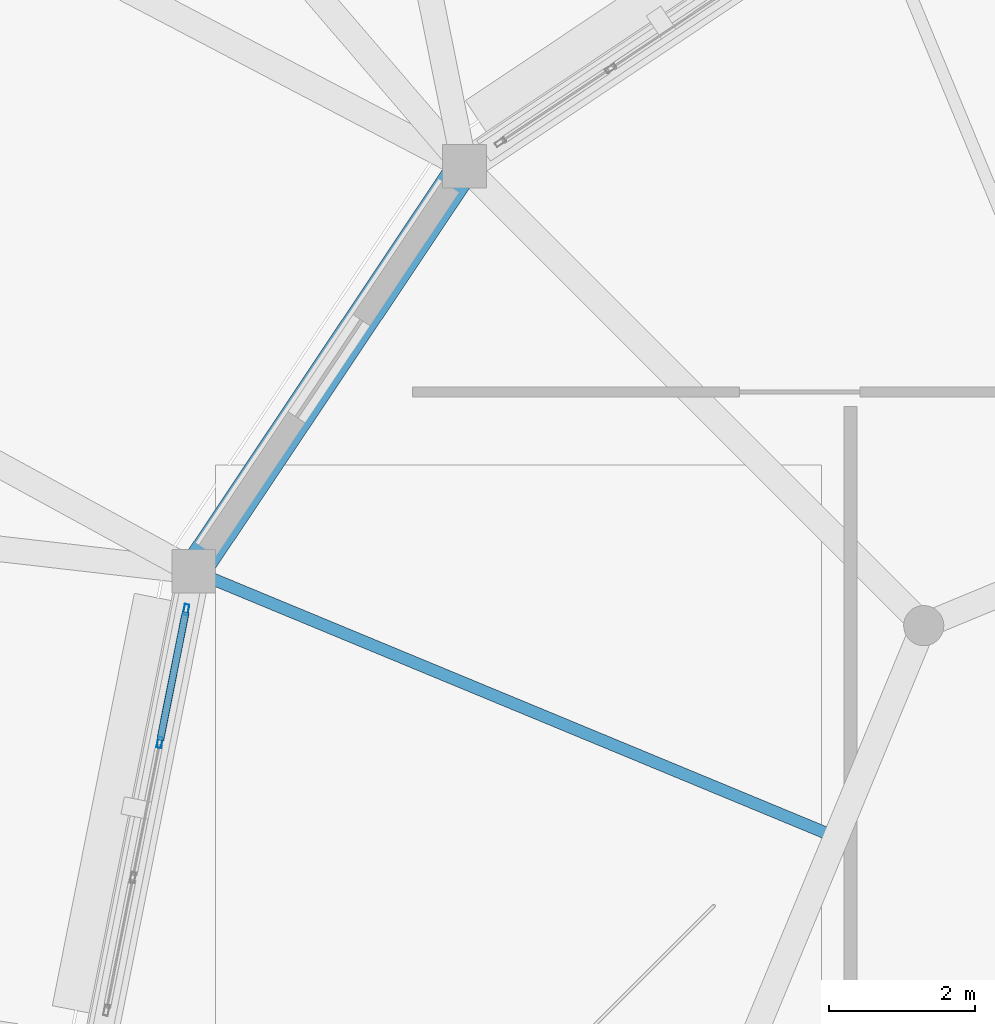
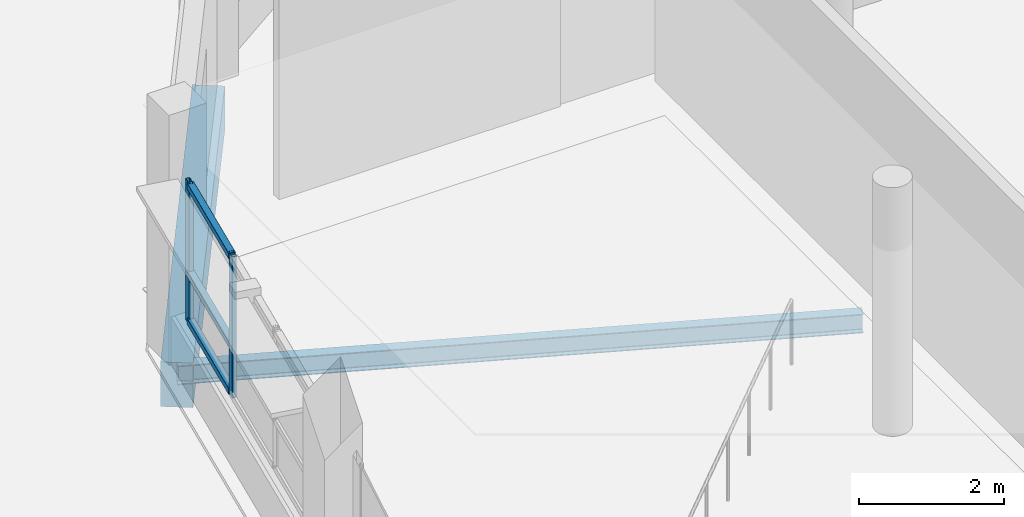
# One storey, part 41 of 128: 5 members, 2 beams, 1 element without a shape of its own.
"""IFC4 building model written with IfcOpenShell, lengths in metres."""

from ifc_helpers import new_model, si_unit, direction, frame, origin, origin_2d, place, context, subcontext, project, spatial, rectangle, hollow_rectangle, i_section, extrude, material, layer, layer_set, material_profile, profile_set, type_object, element, aggregate, save


model = new_model("IFC4")

# Units and contexts
model_context = context("Model", 3, precision=1e-05, world=origin(), true_north=direction((0.0, 1.0)))
body_context = subcontext(model_context, "Body", "Model", "MODEL_VIEW")
ifc_project = project(units=[si_unit("LENGTHUNIT", "METRE"), si_unit("AREAUNIT", "SQUARE_METRE"), si_unit("VOLUMEUNIT", "CUBIC_METRE"), si_unit("PLANEANGLEUNIT", "RADIAN"), si_unit("MASSUNIT", "GRAM", prefix="KILO")], contexts=[model_context])

# Site, building, storey
site_placement = place(None, origin())
site = spatial("IfcSite", under=ifc_project, at=site_placement, CompositionType="ELEMENT")
building_placement = place(site_placement, origin())
building = spatial("IfcBuilding", under=site, at=building_placement, Name="Vespera Passage Community Centre", CompositionType="ELEMENT")
storey_placement = place(building_placement, frame((0.0, 0.0, 4.5)))
storey = spatial("IfcBuildingStorey", under=building, at=storey_placement, Name="L01", CompositionType="ELEMENT", Elevation=4.5)

# Beams
ifc_material_1 = material(Name="Steel ASTM A992 Grade 50", Category="steel")
ifc_material_profile_1 = material_profile(ifc_material_1, i_section(OverallWidth=0.16650390625, OverallDepth=0.3173828125, WebThickness=0.007568359375, FlangeThickness=0.01318359375, FilletRadius=0.007568359375, at=origin_2d()), Name="W12X35")
ifc_profile_set_1 = profile_set([ifc_material_profile_1], Name="Steel ASTM A992 Grade 50")
beam_type_1 = type_object("IfcBeamType", Name="BM-J-W12X35", PredefinedType="JOIST", material=ifc_profile_set_1)
beam_1_placement = place(storey_placement, frame((134.0009765625, 27.899169921875, -0.398681640625), z_axis=(-0.923880304795, 0.382681567901, 0.0), x_axis=(-0.382681567901, -0.923880304795, 0.0)))
element("IfcBeam", 1, at=beam_1_placement, inside=storey, type_object=beam_type_1, Name="V3 L01 Secondary Joist 4", PredefinedType="JOIST", context=body_context, shape_type="SweptSolid", body=[
    extrude(i_section(OverallWidth=0.16650390625, OverallDepth=0.3173828125, WebThickness=0.007568359375, FlangeThickness=0.01318359375, FilletRadius=0.007568359375, at=origin_2d()), origin(), (0.0, 0.0, 1.0), 9.5244140625),
])
ifc_material_2 = material(Name="Concrete f'c 35 MPa", Category="concrete")
ifc_material_profile_2 = material_profile(ifc_material_2, rectangle(XDim=0.449951171875, YDim=0.75, at=origin_2d()), Name="RC450X750")
ifc_profile_set_2 = profile_set([ifc_material_profile_2], Name="Concrete f'c 35 MPa")
beam_type_2 = type_object("IfcBeamType", Name="BM-SP-450X750E", PredefinedType="SPANDREL", material=ifc_profile_set_2)
beam_2_placement = place(storey_placement, frame((128.908447265625, 37.091552734375, -0.614990234375), z_axis=(-0.55556964639, -0.831470004276, 0.0), x_axis=(0.831470004276, -0.55556964639, 0.0)))
element("IfcBeam", 2, at=beam_2_placement, inside=storey, type_object=beam_type_2, Name="V3 L01 Spandrel 7", PredefinedType="SPANDREL", context=body_context, shape_type="SweptSolid", body=[
    extrude(rectangle(XDim=0.449951171875, YDim=0.75, at=origin_2d()), origin(), (0.0, 0.0, 1.0), 6.672119140625),
])

# Curtain wall, members
ifc_material_3 = material(Name="Anodized aluminium 6063-T6", Category="aluminium")
ifc_layer = layer(ifc_material_3, 0.159912109375)
ifc_layer_set = layer_set([ifc_layer], Name="Anodized aluminium 6063-T6")
curtain_wall_type = type_object("IfcCurtainWallType", Name="CW-105E", PredefinedType="NOTDEFINED", material=ifc_layer_set)
curtain_wall_placement = place(storey_placement, origin())
curtain_wall = element("IfcCurtainWall", 3, at=curtain_wall_placement, inside=storey, type_object=curtain_wall_type, Name="Dining Drum Ribbon Curtain Wall L01.8", PredefinedType="NOTDEFINED")
ifc_material_4 = material(Name="Anodized aluminium 6063-T6", Category="aluminium")
ifc_material_profile_3 = material_profile(ifc_material_4, hollow_rectangle(XDim=0.06494140625, YDim=0.14990234375, WallThickness=0.00390625, InnerFilletRadius=0.001953125, OuterFilletRadius=0.00390625, at=origin_2d()), Name="ALU150X65X4")
ifc_profile_set_3 = profile_set([ifc_material_profile_3], Name="Anodized aluminium 6063-T6")
member_type_1 = type_object("IfcMemberType", Name="MB-CWM-150E", PredefinedType="MULLION", material=ifc_profile_set_3)
member_1_placement = place(storey_placement, frame((124.73486328125, 29.197265625, 0.800048828125), z_axis=(0.0, 0.0, 1.0), x_axis=(-0.980783996069, 0.195096778691, 0.0)))
member_1 = element("IfcMember", 4, at=member_1_placement, type_object=member_type_1, Name="CW-105E mullion 3", PredefinedType="MULLION", context=body_context, shape_type="SweptSolid", body=[
    extrude(hollow_rectangle(XDim=0.06494140625, YDim=0.14990234375, WallThickness=0.00390625, InnerFilletRadius=0.001953125, OuterFilletRadius=0.00390625, at=origin_2d()), origin(), (0.0, 0.0, 1.0), 2.375),
])
member_2_placement = place(storey_placement, frame((125.0966796875, 31.015869140625, 0.800048828125), z_axis=(0.0, 0.0, 1.0), x_axis=(-0.980783996069, 0.195096778691, 0.0)))
member_2 = element("IfcMember", 5, at=member_2_placement, type_object=member_type_1, Name="CW-105E mullion 4", PredefinedType="MULLION", context=body_context, shape_type="SweptSolid", body=[
    extrude(hollow_rectangle(XDim=0.06494140625, YDim=0.14990234375, WallThickness=0.00390625, InnerFilletRadius=0.001953125, OuterFilletRadius=0.00390625, at=origin_2d()), origin(), (0.0, 0.0, 1.0), 2.375),
])
ifc_material_5 = material(Name="Anodized aluminium 6063-T6", Category="aluminium")
ifc_material_profile_4 = material_profile(ifc_material_5, hollow_rectangle(XDim=0.10009765625, YDim=0.10009765625, WallThickness=0.00390625, InnerFilletRadius=0.001953125, OuterFilletRadius=0.00390625, at=origin_2d()), Name="ALU100X100X4")
ifc_profile_set_4 = profile_set([ifc_material_profile_4], Name="Anodized aluminium 6063-T6")
member_type_2 = type_object("IfcMemberType", Name="MB-CWT-100E", PredefinedType="USERDEFINED", material=ifc_profile_set_4)
member_3_placement = place(storey_placement, frame((124.7412109375, 29.22900390625, 0.85009765625), z_axis=(0.195118922523, 0.980779590975, 0.0), x_axis=(-0.980779590975, 0.195118922523, 0.0)))
member_3 = element("IfcMember", 6, at=member_3_placement, type_object=member_type_2, Name="CW-105E transom 3.1", ObjectType="TRANSOM", PredefinedType="USERDEFINED", context=body_context, shape_type="SweptSolid", body=[
    extrude(hollow_rectangle(XDim=0.10009765625, YDim=0.10009765625, WallThickness=0.00390625, InnerFilletRadius=0.001953125, OuterFilletRadius=0.00390625, at=origin_2d()), origin(), (0.0, 0.0, 1.0), 1.789306640625),
])
member_4_placement = place(storey_placement, frame((124.7412109375, 29.22900390625, 1.64990234375), z_axis=(0.195118922523, 0.980779590975, 0.0), x_axis=(-0.980779590975, 0.195118922523, 0.0)))
member_4 = element("IfcMember", 7, at=member_4_placement, type_object=member_type_2, Name="CW-105E transom 3.2", ObjectType="TRANSOM", PredefinedType="USERDEFINED", context=body_context, shape_type="SweptSolid", body=[
    extrude(hollow_rectangle(XDim=0.10009765625, YDim=0.10009765625, WallThickness=0.00390625, InnerFilletRadius=0.001953125, OuterFilletRadius=0.00390625, at=origin_2d()), origin(), (0.0, 0.0, 1.0), 1.789306640625),
])
member_5_placement = place(storey_placement, frame((124.7412109375, 29.22900390625, 3.125), z_axis=(0.195118922523, 0.980779590975, 0.0), x_axis=(-0.980779590975, 0.195118922523, 0.0)))
member_5 = element("IfcMember", 8, at=member_5_placement, type_object=member_type_2, Name="CW-105E transom 3.3", ObjectType="TRANSOM", PredefinedType="USERDEFINED", context=body_context, shape_type="SweptSolid", body=[
    extrude(hollow_rectangle(XDim=0.10009765625, YDim=0.10009765625, WallThickness=0.00390625, InnerFilletRadius=0.001953125, OuterFilletRadius=0.00390625, at=origin_2d()), origin(), (0.0, 0.0, 1.0), 1.789306640625),
])
aggregate(curtain_wall, [member_1, member_2, member_3, member_4, member_5])

save(model, "model.ifc")
